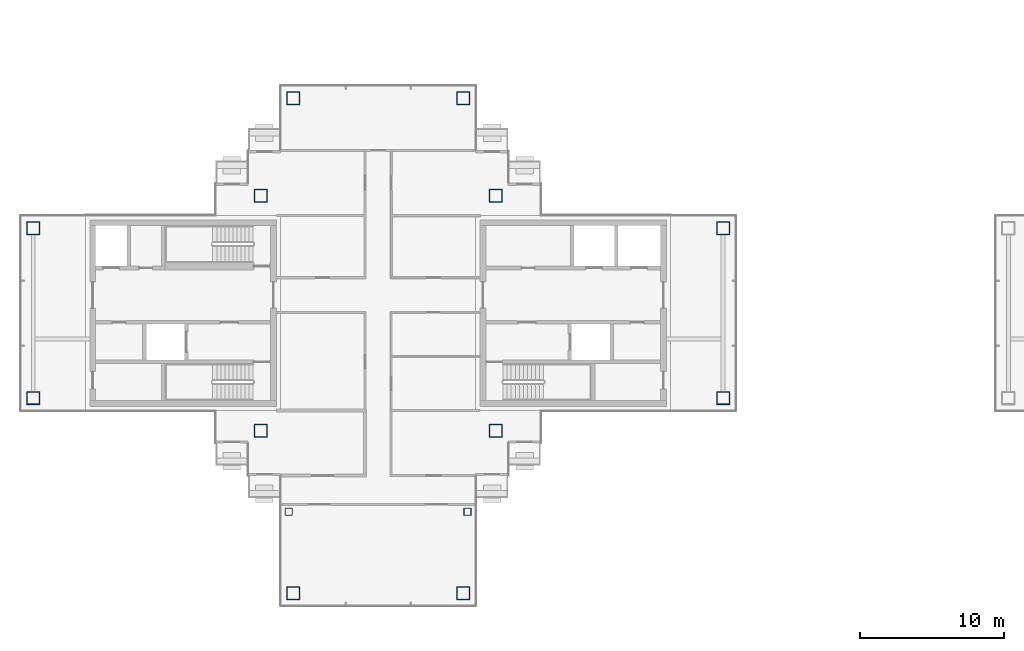
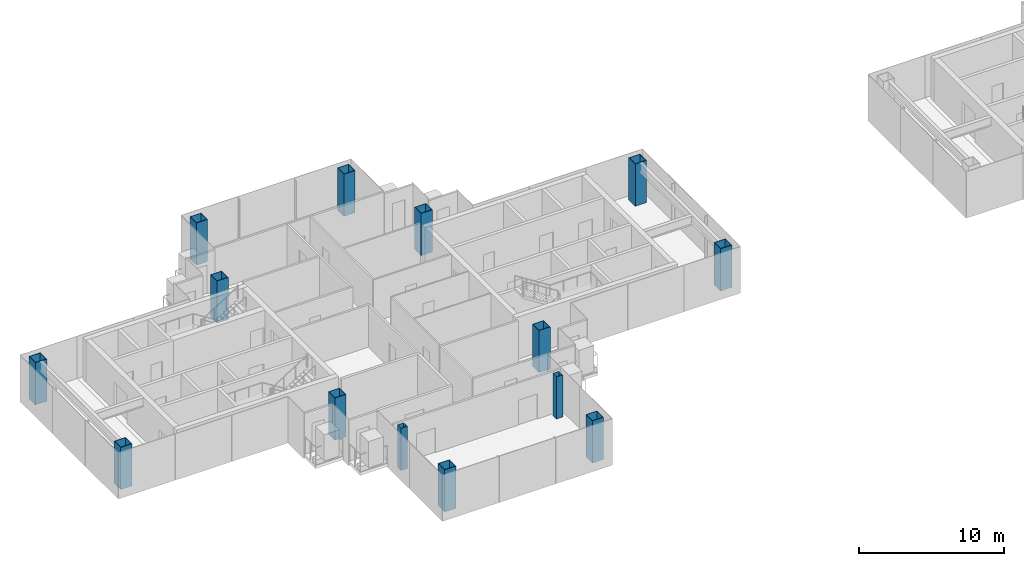
# One storey, part 1 of 16: 14 columns.
"""IFC4 building model written with IfcOpenShell, lengths in metres."""

from ifc_helpers import new_model, si_unit, direction, frame, origin, origin_2d, place, context, subcontext, project, spatial, hollow_rectangle, extrude, material, material_profile, profile_set, type_object, element, save


model = new_model("IFC4")

# Units and contexts
model_context = context("Model", 3, precision=1e-05, world=origin(), true_north=direction((0.0, 1.0)))
body_context = subcontext(model_context, "Body", "Model", "MODEL_VIEW")
ifc_project = project(units=[si_unit("LENGTHUNIT", "METRE"), si_unit("AREAUNIT", "SQUARE_METRE"), si_unit("VOLUMEUNIT", "CUBIC_METRE"), si_unit("PLANEANGLEUNIT", "RADIAN"), si_unit("MASSUNIT", "GRAM", prefix="KILO")], contexts=[model_context])

# Site, building, storey
site_placement = place(None, origin())
site = spatial("IfcSite", under=ifc_project, at=site_placement, CompositionType="ELEMENT")
building_placement = place(site_placement, origin())
building = spatial("IfcBuilding", under=site, at=building_placement, Name="Shamsa Quay Exchange Towers", CompositionType="ELEMENT")
storey_placement = place(building_placement, frame((0.0, 0.0, 265.5)))
storey = spatial("IfcBuildingStorey", under=building, at=storey_placement, Name="L64", CompositionType="ELEMENT", Elevation=265.5)

# Columns
ifc_material_1 = material(Name="Concrete-filled steel tube S355 / C60/75", Category="concrete")
ifc_material_profile_1 = material_profile(ifc_material_1, hollow_rectangle(XDim=0.5, YDim=0.5, WallThickness=0.01611328125, at=origin_2d()), Name="CFT 500x500x16")
ifc_profile_set_1 = profile_set([ifc_material_profile_1], Name="Concrete-filled steel tube S355 / C60/75")
column_type_1 = type_object("IfcColumnType", Name="Column CFT 500x500x16", PredefinedType="COLUMN", material=ifc_profile_set_1)
for number, where, name in (
    (1, (-39.9375, -13.75, 0.0), "Perimeter column T1-CP19"),
    (2, (-27.5625, -13.75, 0.0), "Perimeter column T1-CP22"),
):
    element("IfcColumn", number, at=place(storey_placement, frame(where)), inside=storey, type_object=column_type_1, Name=name, PredefinedType="COLUMN", context=body_context, shape_type="SweptSolid", body=[
        extrude(hollow_rectangle(XDim=0.5, YDim=0.5, WallThickness=0.01611328125, at=origin_2d()), origin(), (0.0, 0.0, 1.0), 3.550048828125),
    ])
ifc_material_2 = material(Name="Concrete-filled steel tube S355 / C80/95", Category="concrete")
ifc_material_profile_2 = material_profile(ifc_material_2, hollow_rectangle(XDim=0.89990234375, YDim=0.89990234375, WallThickness=0.035888671875, at=origin_2d()), Name="CFT 900x900x36")
ifc_profile_set_2 = profile_set([ifc_material_profile_2], Name="Concrete-filled steel tube S355 / C80/95")
column_type_2 = type_object("IfcColumnType", Name="Column CFT 900x900x36", PredefinedType="COLUMN", material=ifc_profile_set_2)
for number, where, name in (
    (3, (-25.625, 8.125, 0.0), "Mega column T1-CM01"),
    (4, (-25.625, -8.125, 0.0), "Mega column T1-CM02"),
    (5, (-41.875, 8.125, 0.0), "Mega column T1-CM03"),
    (6, (-41.875, -8.125, 0.0), "Mega column T1-CM04"),
    (7, (-9.875, -5.875, 0.0), "Mega column T1-CM05"),
    (8, (-9.875, 5.875, 0.0), "Mega column T1-CM07"),
    (9, (-57.625, -5.875, 0.0), "Mega column T1-CM09"),
    (10, (-57.625, 5.875, 0.0), "Mega column T1-CM11"),
    (11, (-39.625, 14.875, 0.0), "Mega column T1-CM13"),
    (12, (-27.875, 14.875, 0.0), "Mega column T1-CM16"),
    (13, (-39.625, -19.375, 0.0), "Mega column T1-CM20"),
    (14, (-27.875, -19.375, 0.0), "Mega column T1-CM23"),
):
    element("IfcColumn", number, at=place(storey_placement, frame(where)), inside=storey, type_object=column_type_2, Name=name, PredefinedType="COLUMN", context=body_context, shape_type="SweptSolid", body=[
        extrude(hollow_rectangle(XDim=0.89990234375, YDim=0.89990234375, WallThickness=0.035888671875, at=origin_2d()), origin(), (0.0, 0.0, 1.0), 3.550048828125),
    ])

save(model, "model.ifc")
